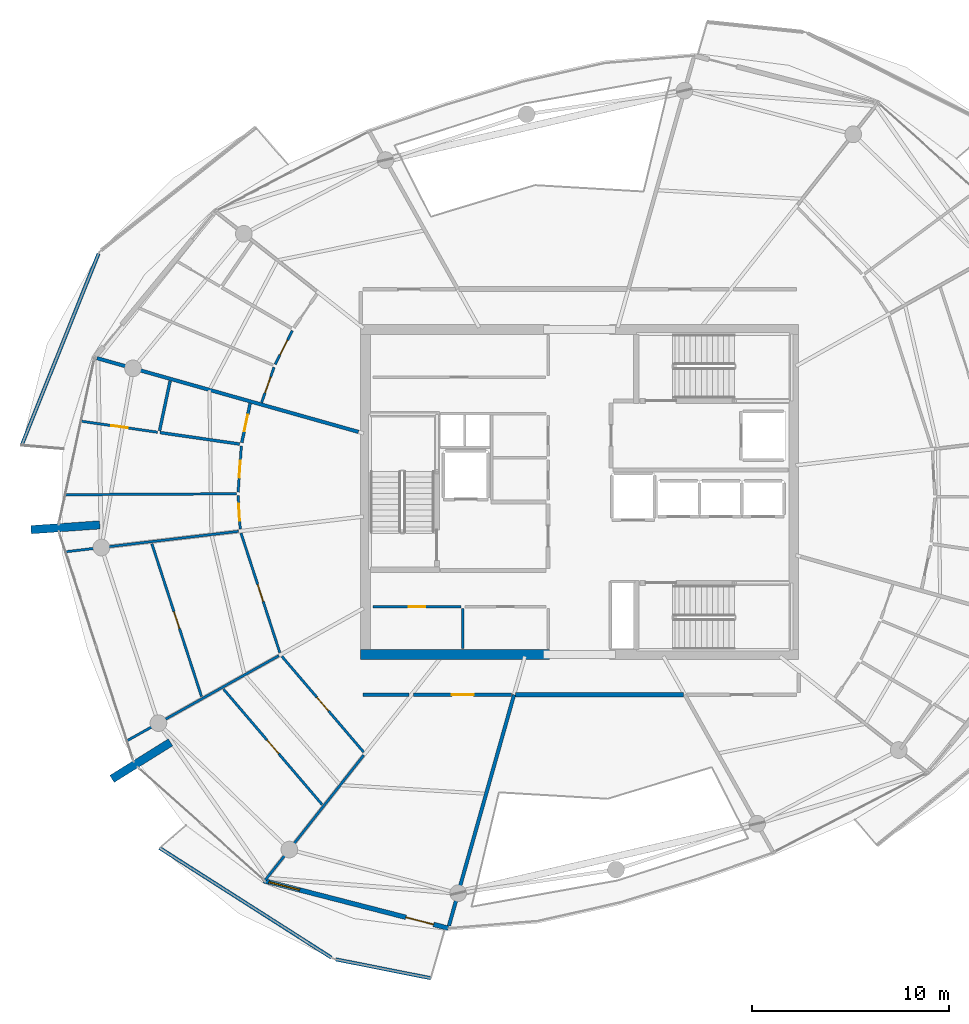
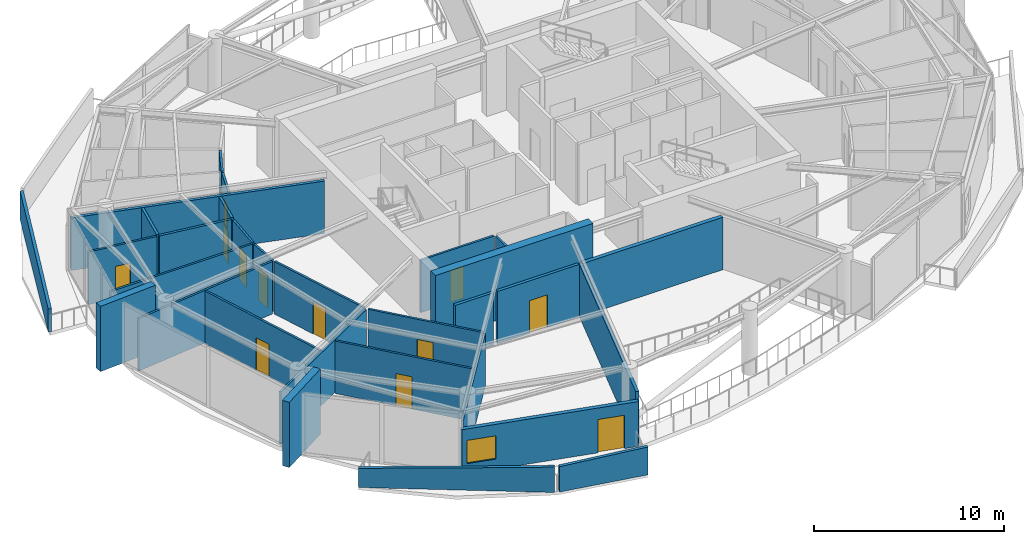
# One storey, part 13 of 22: 30 walls, 13 doors, 1 window, 14 openings.
"""IFC4 building model written with IfcOpenShell, lengths in metres."""

from ifc_helpers import new_model, si_unit, direction, frame, frame_2d, origin, place, context, subcontext, project, spatial, polyline, rectangle, outline, extrude, material, layer, layer_set, type_object, element, fill, save


model = new_model("IFC4")

# Units and contexts
model_context = context("Model", 3, precision=1e-05, world=origin(), true_north=direction((0.0, 1.0)))
body_context = subcontext(model_context, "Body", "Model", "MODEL_VIEW")
ifc_project = project(units=[si_unit("LENGTHUNIT", "METRE"), si_unit("AREAUNIT", "SQUARE_METRE"), si_unit("VOLUMEUNIT", "CUBIC_METRE"), si_unit("PLANEANGLEUNIT", "RADIAN"), si_unit("MASSUNIT", "GRAM", prefix="KILO")], contexts=[model_context])

# Site, building, storey
site_placement = place(None, origin())
site = spatial("IfcSite", under=ifc_project, at=site_placement, CompositionType="ELEMENT")
building_placement = place(site_placement, origin())
building = spatial("IfcBuilding", under=site, at=building_placement, Name="Kazma Halo Residences", CompositionType="ELEMENT")
storey_placement = place(building_placement, frame((0.0, 0.0, 330.5)))
storey = spatial("IfcBuildingStorey", under=building, at=storey_placement, Name="L83", CompositionType="ELEMENT", Elevation=330.5)

# Walls
ifc_material_1 = material(Name="White Concrete C50/60 Balustrade", Category="concrete")
ifc_layer_1 = layer(ifc_material_1, 0.179931640625)
ifc_layer_set_1 = layer_set([ifc_layer_1], Name="White Concrete C50/60 Balustrade")
wall_type_1 = type_object("IfcWallType", Name="WL-BAL-WAVE-180", PredefinedType="PARAPET", material=ifc_layer_set_1)
wall_1_placement = place(storey_placement, frame((23.9931640625, 54.097900390625, 0.0), z_axis=(0.0, 0.0, 1.0), x_axis=(-0.372269858955, -0.928124534809, 0.0)))
element("IfcWall", 1, at=wall_1_placement, inside=storey, type_object=wall_type_1, Name="L83 white wave balustrade wall NW.2", PredefinedType="PARAPET", context=body_context, shape_type="SweptSolid", body=[
    extrude(outline(polyline([(0.0, 0.0), (10.483154296875, 0.0), (10.4833984375, 1.4970703125), (5.24169921875, 1.696044921875), (0.0, 1.83203125), (0.0, 0.0)])), frame((0.0, 0.08984375, 0.0), z_axis=(0.0, -1.0, 0.0), x_axis=(1.0, 0.0, 0.0)), (0.0, 0.0, 1.0), 0.179931640625),
])
wall_2_placement = place(storey_placement, frame((27.093017578125, 23.921630859375, 0.0), z_axis=(0.0, 0.0, 1.0), x_axis=(0.842921526724, -0.538036522725, 0.0)))
element("IfcWall", 2, at=wall_2_placement, inside=storey, type_object=wall_type_1, Name="L83 white wave balustrade wall SW.1", PredefinedType="PARAPET", context=body_context, shape_type="SweptSolid", body=[
    extrude(outline(polyline([(0.0, 0.0), (10.349853515625, 0.0), (10.349853515625, 1.632080078125), (5.1748046875, 1.41796875), (0.0, 1.23291015625), (0.0, 0.0)])), frame((0.0, 0.08984375, 0.0), z_axis=(0.0, -1.0, 0.0), x_axis=(1.0, 0.0, 0.0)), (0.0, 0.0, 1.0), 0.179931640625),
])
wall_3_placement = place(storey_placement, frame((36.0361328125, 18.26513671875, 0.0), z_axis=(0.0, 0.0, 1.0), x_axis=(0.980863414274, -0.194697104595, 0.0)))
element("IfcWall", 3, at=wall_3_placement, inside=storey, type_object=wall_type_1, Name="L83 white wave balustrade wall SW.2", PredefinedType="PARAPET", context=body_context, shape_type="SweptSolid", body=[
    extrude(outline(polyline([(0.0, 0.0), (4.930419921875, 0.0), (4.930419921875, 1.7939453125), (0.0, 1.632080078125), (0.0, 0.0)])), frame((0.0, 0.08984375, 0.0), z_axis=(0.0, -1.0, 0.0), x_axis=(1.0, 0.0, 0.0)), (0.0, 0.0, 1.0), 0.179931640625),
])
ifc_material_2 = material(Name="Pale Concrete C60/75", Category="concrete")
ifc_layer_2 = layer(ifc_material_2, 0.419921875)
ifc_layer_set_2 = layer_set([ifc_layer_2], Name="Pale Concrete C60/75")
wall_type_2 = type_object("IfcWallType", Name="WL-BLADE-420", PredefinedType="SOLIDWALL", material=ifc_layer_set_2)
for number, where, z_axis, x_axis, name in (
    (4, (24.05908203125, 40.325927734375, 0.0), (0.0, 0.0, 1.0), (-0.997564163539, -0.069754853754, 0.0), "L83 pale concrete structural blade fin wall BW-02"),
    (5, (27.6474609375, 29.2822265625, 0.0), (0.0, 0.0, 1.0), (-0.848053161125, -0.529911158502, 0.0), "L83 pale concrete structural blade fin wall BW-03"),
):
    element("IfcWall", number, at=place(storey_placement, frame(where, z_axis=z_axis, x_axis=x_axis)), inside=storey, type_object=wall_type_2, Name=name, PredefinedType="SOLIDWALL", context=body_context, shape_type="SweptSolid", body=[
        extrude(rectangle(XDim=3.5, YDim=0.419921875, at=frame_2d((1.75, 0.0))), origin(), (0.0, 0.0, 1.0), 4.199951171875),
    ])
ifc_material_3 = material(Name="Concrete C60/75", Category="concrete")
ifc_layer_3 = layer(ifc_material_3, 0.5)
ifc_layer_set_3 = layer_set([ifc_layer_3], Name="Concrete C60/75")
wall_type_3 = type_object("IfcWallType", Name="WL-CORE-500", PredefinedType="SHEAR", material=ifc_layer_set_3)
wall_4_placement = place(storey_placement, frame((37.300048828125, 33.75, 0.0), z_axis=(0.0, 0.0, 1.0), x_axis=(1.0, 0.0, 0.0)))
element("IfcWall", 6, at=wall_4_placement, inside=storey, type_object=wall_type_3, Name="L83 central core shear wall SW", PredefinedType="SHEAR", context=body_context, shape_type="SweptSolid", body=[
    extrude(rectangle(XDim=9.599853515625, YDim=0.5, at=frame_2d((4.7998046875, 0.0))), origin(), (0.0, 0.0, 1.0), 4.199951171875),
])
ifc_material_4 = material(Name="Acoustic Twin-Stud Gypsum")
ifc_layer_4 = layer(ifc_material_4, 0.179931640625)
ifc_layer_set_4 = layer_set([ifc_layer_4], Name="Acoustic Twin-Stud Gypsum")
wall_type_4 = type_object("IfcWallType", Name="WL-DEM-180", PredefinedType="PARTITIONING", material=ifc_layer_set_4)
wall_5_placement = place(storey_placement, frame((37.194091796875, 45.047607421875, 0.0), z_axis=(0.0, 0.0, 1.0), x_axis=(-0.962457024049, 0.271434111451, 0.0)))
element("IfcWall", 7, at=wall_5_placement, inside=storey, type_object=wall_type_4, Name="L83 apartment demising radial wall 06", PredefinedType="PARTITIONING", context=body_context, shape_type="SweptSolid", body=[
    extrude(rectangle(XDim=13.79931640625, YDim=0.179931640625, at=frame_2d((6.899658203125, 0.0))), origin(), (0.0, 0.0, 1.0), 3.3798828125),
])
wall_6_placement = place(storey_placement, frame((45.09521484375, 31.699951171875, 0.0), z_axis=(0.0, 0.0, 1.0), x_axis=(-0.271453030279, -0.962451688321, 0.0)))
element("IfcWall", 8, at=wall_6_placement, inside=storey, type_object=wall_type_4, Name="L83 apartment demising radial wall 10", PredefinedType="PARTITIONING", context=body_context, shape_type="SweptSolid", body=[
    extrude(rectangle(XDim=12.191162109375, YDim=0.179931640625, at=frame_2d((6.095703125, 0.0))), origin(), (0.0, 0.0, 1.0), 3.3798828125),
])

# Wall, opening, door
wall_7_placement = place(storey_placement, frame((40.0, 31.699951171875, 0.0), z_axis=(0.0, 0.0, 1.0), x_axis=(1.0, 0.0, 0.0)))
wall_7 = element("IfcWall", 9, at=wall_7_placement, inside=storey, type_object=wall_type_4, Name="L83 Penthouse 2 entrance corridor wall", PredefinedType="PARTITIONING", context=body_context, shape_type="SweptSolid", body=[
    extrude(rectangle(XDim=4.97509765625, YDim=0.179931640625, at=frame_2d((2.487548828125, 0.0))), origin(), (0.0, 0.0, 1.0), 3.3798828125),
])
opening_1_placement = place(wall_7_placement, frame((1.9375, 0.0, 0.0)))
opening_1 = element("IfcOpeningElement", 10, at=opening_1_placement, cuts=wall_7, Name="Opening DA-1100", PredefinedType="OPENING", context=body_context, shape_type="SweptSolid", body=[
    extrude(rectangle(XDim=1.10009765625, YDim=2.10009765625, at=frame_2d((0.550048828125, 1.050048828125))), frame((0.0, 0.099853515625, 0.0), z_axis=(0.0, -1.0, 0.0), x_axis=(1.0, 0.0, 0.0)), (0.0, 0.0, 1.0), 0.199951171875),
])
ifc_material_5 = material(Name="Acoustic Walnut Fire Leaf")
door_type_1 = type_object("IfcDoorType", Name="DR-FD60-1100", OperationType="NOTDEFINED", PredefinedType="DOOR", material=ifc_material_5)
door_1_placement = place(opening_1_placement, origin())
door_1 = element("IfcDoor", 11, at=door_1_placement, inside=storey, type_object=door_type_1, Name="L83 Penthouse 2 entrance fire door", OperationType="SINGLE_SWING_RIGHT", OverallHeight=2.10009765625, OverallWidth=1.10009765625, PredefinedType="DOOR", context=body_context, shape_type="SweptSolid", body=[
    extrude(rectangle(XDim=1.10009765625, YDim=2.10009765625, at=frame_2d((0.550048828125, 1.050048828125))), frame((0.0, 0.02490234375, 0.0), z_axis=(0.0, -1.0, 0.0), x_axis=(1.0, 0.0, 0.0)), (0.0, 0.0, 1.0), 0.050048828125),
])
fill(opening_1, door_1)

# Wall
wall_8_placement = place(storey_placement, frame((37.419921875, 31.699951171875, 0.0), z_axis=(0.0, 0.0, 1.0), x_axis=(1.0, 0.0, 0.0)))
element("IfcWall", 12, at=wall_8_placement, inside=storey, type_object=wall_type_4, Name="L83 Penthouse 2 inner wall 8", PredefinedType="PARTITIONING", context=body_context, shape_type="SweptSolid", body=[
    extrude(rectangle(XDim=2.340087890625, YDim=0.179931640625, at=frame_2d((1.169921875, 0.0))), origin(), (0.0, 0.0, 1.0), 3.3798828125),
])

# Wall, openings, door, window
ifc_material_6 = material(Name="Insulated Pale-Metal Composite Wall")
ifc_layer_5 = layer(ifc_material_6, 0.239990234375)
ifc_layer_set_5 = layer_set([ifc_layer_5], Name="Insulated Pale-Metal Composite Wall")
wall_type_5 = type_object("IfcWallType", Name="WL-EXT-HOST-240", PredefinedType="SOLIDWALL", material=ifc_layer_set_5)
wall_9_placement = place(storey_placement, frame((32.380126953125, 22.26025390625, 0.0), z_axis=(0.0, 0.0, 1.0), x_axis=(0.968389062354, -0.249444630957, 0.0)))
wall_9 = element("IfcWall", 13, at=wall_9_placement, inside=storey, type_object=wall_type_5, Name="L83 exterior terrace-access wall B10", PredefinedType="SOLIDWALL", context=body_context, shape_type="SweptSolid", body=[
    extrude(rectangle(XDim=9.677734375, YDim=0.239990234375, at=frame_2d((4.8388671875, 0.0))), origin(), (0.0, 0.0, 1.0), 2.889892578125),
])
opening_2_placement = place(wall_9_placement, frame((7.457763671875, 0.0, 0.0)))
opening_2 = element("IfcOpeningElement", 14, at=opening_2_placement, cuts=wall_9, Name="Opening DTR-1600", PredefinedType="OPENING", context=body_context, shape_type="SweptSolid", body=[
    extrude(rectangle(XDim=1.449951171875, YDim=2.14990234375, at=frame_2d((0.72509765625, 1.074951171875))), frame((0.0, 0.1298828125, 0.0), z_axis=(0.0, -1.0, 0.0), x_axis=(1.0, 0.0, 0.0)), (0.0, 0.0, 1.0), 0.260009765625),
])
opening_3_placement = place(wall_9_placement, frame((0.280029296875, 0.0, 0.64990234375)))
opening_3 = element("IfcOpeningElement", 15, at=opening_3_placement, cuts=wall_9, Name="Opening W-1800", PredefinedType="OPENING", context=body_context, shape_type="SweptSolid", body=[
    extrude(rectangle(XDim=1.60009765625, YDim=1.5, at=frame_2d((0.800048828125, 0.75))), frame((0.0, 0.1298828125, 0.0), z_axis=(0.0, -1.0, 0.0), x_axis=(1.0, 0.0, 0.0)), (0.0, 0.0, 1.0), 0.260009765625),
])
ifc_material_7 = material(Name="Aluminium AW-6063 T6 Double-Glazed Terrace Door", Category="aluminium")
door_type_2 = type_object("IfcDoorType", Name="DR-EXT-TERR-1600", OperationType="NOTDEFINED", PredefinedType="DOOR", material=ifc_material_7)
door_2_placement = place(opening_2_placement, origin())
door_2 = element("IfcDoor", 16, at=door_2_placement, inside=storey, type_object=door_type_2, Name="L83 B10 balcony terrace door", OperationType="DOUBLE_DOOR_SLIDING", OverallHeight=2.14990234375, OverallWidth=1.449951171875, PredefinedType="DOOR", context=body_context, shape_type="SweptSolid", body=[
    extrude(rectangle(XDim=1.449951171875, YDim=2.14990234375, at=frame_2d((0.72509765625, 1.074951171875))), frame((0.0, 0.02490234375, 0.0), z_axis=(0.0, -1.0, 0.0), x_axis=(1.0, 0.0, 0.0)), (0.0, 0.0, 1.0), 0.050048828125),
])
fill(opening_2, door_2)
ifc_material_8 = material(Name="Clear Triple-Silver Low-E Glass in Aluminium AW-6063 T6 Frame", Category="aluminium")
window_type = type_object("IfcWindowType", Name="WIN-RES-1800", PartitioningType="DOUBLE_PANEL_VERTICAL", PredefinedType="WINDOW", material=ifc_material_8)
window_placement = place(opening_3_placement, origin())
window = element("IfcWindow", 17, at=window_placement, inside=storey, type_object=window_type, Name="L83 B10 apartment window", OverallHeight=1.5, OverallWidth=1.60009765625, PartitioningType="SINGLE_PANEL", PredefinedType="WINDOW", context=body_context, shape_type="SweptSolid", body=[
    extrude(rectangle(XDim=1.60009765625, YDim=1.5, at=frame_2d((0.800048828125, 0.75))), frame((0.0, 0.030029296875, 0.0), z_axis=(0.0, -1.0, 0.0), x_axis=(1.0, 0.0, 0.0)), (0.0, 0.0, 1.0), 0.06005859375),
])
fill(opening_3, window)

# Walls
wall_10_placement = place(storey_placement, frame((45.1650390625, 31.699951171875, 0.0), z_axis=(0.0, 0.0, 1.0), x_axis=(1.0, 0.0, 0.0)))
element("IfcWall", 18, at=wall_10_placement, inside=storey, type_object=wall_type_5, Name="L83 wind-portal core closure wall", PredefinedType="SOLIDWALL", context=body_context, shape_type="SweptSolid", body=[
    extrude(rectangle(XDim=8.533203125, YDim=0.239990234375, at=frame_2d((4.2666015625, 0.0))), origin(), (0.0, 0.0, 1.0), 3.3798828125),
])
ifc_material_9 = material(Name="Gypsum Plasterboard Partition")
ifc_layer_6 = layer(ifc_material_9, 0.125)
ifc_layer_set_6 = layer_set([ifc_layer_6], Name="Gypsum Plasterboard Partition")
wall_type_6 = type_object("IfcWallType", Name="WL-PART-125", PredefinedType="PARTITIONING", material=ifc_layer_set_6)
wall_11_placement = place(storey_placement, frame((42.5, 34.050048828125, 0.0), z_axis=(0.0, 0.0, 1.0), x_axis=(0.0, 1.0, 0.0)))
element("IfcWall", 19, at=wall_11_placement, inside=storey, type_object=wall_type_6, Name="L83 reclaimed south divider wall", PredefinedType="PARTITIONING", context=body_context, shape_type="SweptSolid", body=[
    extrude(rectangle(XDim=2.030029296875, YDim=0.125, at=frame_2d((1.01513671875, 0.0))), origin(), (0.0, 0.0, 1.0), 3.3798828125),
])

# Wall, opening, door
wall_12_placement = place(storey_placement, frame((37.919921875, 36.179931640625, 0.0), z_axis=(0.0, 0.0, 1.0), x_axis=(1.0, 0.0, 0.0)))
wall_12 = element("IfcWall", 20, at=wall_12_placement, inside=storey, type_object=wall_type_6, Name="L83 reclaimed south W front wall", PredefinedType="PARTITIONING", context=body_context, shape_type="SweptSolid", body=[
    extrude(rectangle(XDim=4.47998046875, YDim=0.125, at=frame_2d((2.239990234375, 0.0))), origin(), (0.0, 0.0, 1.0), 3.3798828125),
])
opening_4_placement = place(wall_12_placement, frame((1.81494140625, 0.0, 0.0)))
opening_4 = element("IfcOpeningElement", 21, at=opening_4_placement, cuts=wall_12, Name="Opening DS-850", PredefinedType="OPENING", context=body_context, shape_type="SweptSolid", body=[
    extrude(rectangle(XDim=0.85009765625, YDim=2.06005859375, at=frame_2d((0.425048828125, 1.030029296875))), frame((0.0, 0.072509765625, 0.0), z_axis=(0.0, -1.0, 0.0), x_axis=(1.0, 0.0, 0.0)), (0.0, 0.0, 1.0), 0.14501953125),
])
ifc_material_10 = material(Name="Painted Steel Access Leaf", Category="steel")
door_type_3 = type_object("IfcDoorType", Name="DR-SVC-850", OperationType="NOTDEFINED", PredefinedType="DOOR", material=ifc_material_10)
door_3_placement = place(opening_4_placement, origin())
door_3 = element("IfcDoor", 22, at=door_3_placement, inside=storey, type_object=door_type_3, Name="L83 reclaimed south W door", OperationType="SINGLE_SWING_RIGHT", OverallHeight=2.06005859375, OverallWidth=0.85009765625, PredefinedType="DOOR", context=body_context, shape_type="SweptSolid", body=[
    extrude(rectangle(XDim=0.85009765625, YDim=2.06005859375, at=frame_2d((0.425048828125, 1.030029296875))), frame((0.0, 0.02490234375, 0.0), z_axis=(0.0, -1.0, 0.0), x_axis=(1.0, 0.0, 0.0)), (0.0, 0.0, 1.0), 0.050048828125),
])
fill(opening_4, door_3)

wall_13_placement = place(storey_placement, frame((33.828369140625, 50.18701171875, 0.0), z_axis=(0.0, 0.0, 1.0), x_axis=(-0.449051769977, -0.893505740262, 0.0)))
wall_13 = element("IfcWall", 23, at=wall_13_placement, inside=storey, type_object=wall_type_6, Name="L83 Penthouse 1 Gourmet Kitchen hall wall", PredefinedType="PARTITIONING", context=body_context, shape_type="SweptSolid", body=[
    extrude(rectangle(XDim=1.91162109375, YDim=0.125, at=frame_2d((0.955810546875, 0.0))), origin(), (0.0, 0.0, 1.0), 3.3798828125),
])
opening_5_placement = place(wall_13_placement, frame((0.53076171875, 0.0, 0.0)))
opening_5 = element("IfcOpeningElement", 24, at=opening_5_placement, cuts=wall_13, Name="Opening DB-900", PredefinedType="OPENING", context=body_context, shape_type="SweptSolid", body=[
    extrude(rectangle(XDim=0.85009765625, YDim=2.06005859375, at=frame_2d((0.425048828125, 1.030029296875))), frame((0.0, 0.072509765625, 0.0), z_axis=(0.0, -1.0, 0.0), x_axis=(1.0, 0.0, 0.0)), (0.0, 0.0, 1.0), 0.14501953125),
])
ifc_material_11 = material(Name="Moisture-Sealed Timber Leaf", Category="wood")
door_type_4 = type_object("IfcDoorType", Name="DR-BTH-900", OperationType="NOTDEFINED", PredefinedType="DOOR", material=ifc_material_11)
door_4_placement = place(opening_5_placement, origin())
door_4 = element("IfcDoor", 25, at=door_4_placement, inside=storey, type_object=door_type_4, Name="L83 Penthouse 1 Gourmet Kitchen door", OperationType="SINGLE_SWING_LEFT", OverallHeight=2.06005859375, OverallWidth=0.85009765625, PredefinedType="DOOR", context=body_context, shape_type="SweptSolid", body=[
    extrude(rectangle(XDim=0.85009765625, YDim=2.06005859375, at=frame_2d((0.425048828125, 1.030029296875))), frame((0.0, 0.02490234375, 0.0), z_axis=(0.0, -1.0, 0.0), x_axis=(1.0, 0.0, 0.0)), (0.0, 0.0, 1.0), 0.050048828125),
])
fill(opening_5, door_4)

wall_14_placement = place(storey_placement, frame((32.907470703125, 48.33203125, 0.0), z_axis=(0.0, 0.0, 1.0), x_axis=(-0.332128336942, -0.943234206229, 0.0)))
wall_14 = element("IfcWall", 26, at=wall_14_placement, inside=storey, type_object=wall_type_6, Name="L83 Penthouse 1 Primary Bedroom hall wall", PredefinedType="PARTITIONING", context=body_context, shape_type="SweptSolid", body=[
    extrude(rectangle(XDim=1.901611328125, YDim=0.125, at=frame_2d((0.95068359375, 0.0))), origin(), (0.0, 0.0, 1.0), 3.3798828125),
])
opening_6_placement = place(wall_14_placement, frame((0.52587890625, 0.0, 0.0)))
opening_6 = element("IfcOpeningElement", 27, at=opening_6_placement, cuts=wall_14, Name="Opening DB-900", PredefinedType="OPENING", context=body_context, shape_type="SweptSolid", body=[
    extrude(rectangle(XDim=0.85009765625, YDim=2.06005859375, at=frame_2d((0.425048828125, 1.030029296875))), frame((0.0, 0.072509765625, 0.0), z_axis=(0.0, -1.0, 0.0), x_axis=(1.0, 0.0, 0.0)), (0.0, 0.0, 1.0), 0.14501953125),
])
door_5_placement = place(opening_6_placement, origin())
door_5 = element("IfcDoor", 28, at=door_5_placement, inside=storey, type_object=door_type_4, Name="L83 Penthouse 1 Primary Bedroom door", OperationType="SINGLE_SWING_RIGHT", OverallHeight=2.06005859375, OverallWidth=0.85009765625, PredefinedType="DOOR", context=body_context, shape_type="SweptSolid", body=[
    extrude(rectangle(XDim=0.85009765625, YDim=2.06005859375, at=frame_2d((0.425048828125, 1.030029296875))), frame((0.0, 0.02490234375, 0.0), z_axis=(0.0, -1.0, 0.0), x_axis=(1.0, 0.0, 0.0)), (0.0, 0.0, 1.0), 0.050048828125),
])
fill(opening_6, door_5)

wall_15_placement = place(storey_placement, frame((26.985595703125, 45.032958984375, 0.0), z_axis=(0.0, 0.0, 1.0), x_axis=(-0.989744483193, 0.142849074164, 0.0)))
wall_15 = element("IfcWall", 29, at=wall_15_placement, inside=storey, type_object=wall_type_6, Name="L83 Penthouse 2 Household Store Room partition wall", PredefinedType="PARTITIONING", context=body_context, shape_type="SweptSolid", body=[
    extrude(rectangle(XDim=3.90185546875, YDim=0.125, at=frame_2d((1.950927734375, 0.0))), origin(), (0.0, 0.0, 1.0), 3.3798828125),
])
opening_7_placement = place(wall_15_placement, frame((1.52587890625, 0.0, 0.0)))
opening_7 = element("IfcOpeningElement", 30, at=opening_7_placement, cuts=wall_15, Name="Opening DB-900", PredefinedType="OPENING", context=body_context, shape_type="SweptSolid", body=[
    extrude(rectangle(XDim=0.85009765625, YDim=2.06005859375, at=frame_2d((0.425048828125, 1.030029296875))), frame((0.0, 0.072509765625, 0.0), z_axis=(0.0, -1.0, 0.0), x_axis=(1.0, 0.0, 0.0)), (0.0, 0.0, 1.0), 0.14501953125),
])
door_6_placement = place(opening_7_placement, origin())
door_6 = element("IfcDoor", 31, at=door_6_placement, inside=storey, type_object=door_type_4, Name="L83 Penthouse 2 Household Store Room door", OperationType="SINGLE_SWING_LEFT", OverallHeight=2.06005859375, OverallWidth=0.85009765625, PredefinedType="DOOR", context=body_context, shape_type="SweptSolid", body=[
    extrude(rectangle(XDim=0.85009765625, YDim=2.06005859375, at=frame_2d((0.425048828125, 1.030029296875))), frame((0.0, 0.02490234375, 0.0), z_axis=(0.0, -1.0, 0.0), x_axis=(1.0, 0.0, 0.0)), (0.0, 0.0, 1.0), 0.050048828125),
])
fill(opening_7, door_6)

# Wall
wall_16_placement = place(storey_placement, frame((30.98828125, 41.906005859375, 0.0), z_axis=(0.0, 0.0, 1.0), x_axis=(-0.999984908948, -0.005493803382, 0.0)))
element("IfcWall", 32, at=wall_16_placement, inside=storey, type_object=wall_type_6, Name="L83 Penthouse 2 suite divider 6", PredefinedType="PARTITIONING", context=body_context, shape_type="SweptSolid", body=[
    extrude(rectangle(XDim=8.665771484375, YDim=0.125, at=frame_2d((4.3330078125, 0.0))), origin(), (0.0, 0.0, 1.0), 3.3798828125),
])

# Wall, opening, door
wall_17_placement = place(storey_placement, frame((31.245361328125, 44.327392578125, 0.0), z_axis=(0.0, 0.0, 1.0), x_axis=(-0.068873502497, -0.997625400967, 0.0)))
wall_17 = element("IfcWall", 33, at=wall_17_placement, inside=storey, type_object=wall_type_6, Name="L83 Penthouse 2 Gourmet Kitchen hall wall", PredefinedType="PARTITIONING", context=body_context, shape_type="SweptSolid", body=[
    extrude(rectangle(XDim=2.3466796875, YDim=0.125, at=frame_2d((1.17333984375, 0.0))), origin(), (0.0, 0.0, 1.0), 3.3798828125),
])
opening_8_placement = place(wall_17_placement, frame((0.748291015625, 0.0, 0.0)))
opening_8 = element("IfcOpeningElement", 34, at=opening_8_placement, cuts=wall_17, Name="Opening DB-900", PredefinedType="OPENING", context=body_context, shape_type="SweptSolid", body=[
    extrude(rectangle(XDim=0.85009765625, YDim=2.06005859375, at=frame_2d((0.425048828125, 1.030029296875))), frame((0.0, 0.072509765625, 0.0), z_axis=(0.0, -1.0, 0.0), x_axis=(1.0, 0.0, 0.0)), (0.0, 0.0, 1.0), 0.14501953125),
])
door_7_placement = place(opening_8_placement, origin())
door_7 = element("IfcDoor", 35, at=door_7_placement, inside=storey, type_object=door_type_4, Name="L83 Penthouse 2 Gourmet Kitchen door", OperationType="SINGLE_SWING_RIGHT", OverallHeight=2.06005859375, OverallWidth=0.85009765625, PredefinedType="DOOR", context=body_context, shape_type="SweptSolid", body=[
    extrude(rectangle(XDim=0.85009765625, YDim=2.06005859375, at=frame_2d((0.425048828125, 1.030029296875))), frame((0.0, 0.02490234375, 0.0), z_axis=(0.0, -1.0, 0.0), x_axis=(1.0, 0.0, 0.0)), (0.0, 0.0, 1.0), 0.050048828125),
])
fill(opening_8, door_7)

wall_18_placement = place(storey_placement, frame((31.083251953125, 41.826904296875, 0.0), z_axis=(0.0, 0.0, 1.0), x_axis=(0.061626842896, -0.998099259711, 0.0)))
wall_18 = element("IfcWall", 36, at=wall_18_placement, inside=storey, type_object=wall_type_6, Name="L83 Penthouse 2 Primary Bedroom hall wall", PredefinedType="PARTITIONING", context=body_context, shape_type="SweptSolid", body=[
    extrude(rectangle(XDim=1.71923828125, YDim=0.125, at=frame_2d((0.859619140625, 0.0))), origin(), (0.0, 0.0, 1.0), 3.3798828125),
])
opening_9_placement = place(wall_18_placement, frame((0.4345703125, 0.0, 0.0)))
opening_9 = element("IfcOpeningElement", 37, at=opening_9_placement, cuts=wall_18, Name="Opening DB-900", PredefinedType="OPENING", context=body_context, shape_type="SweptSolid", body=[
    extrude(rectangle(XDim=0.85009765625, YDim=2.06005859375, at=frame_2d((0.425048828125, 1.030029296875))), frame((0.0, 0.072509765625, 0.0), z_axis=(0.0, -1.0, 0.0), x_axis=(1.0, 0.0, 0.0)), (0.0, 0.0, 1.0), 0.14501953125),
])
door_8_placement = place(opening_9_placement, origin())
door_8 = element("IfcDoor", 38, at=door_8_placement, inside=storey, type_object=door_type_4, Name="L83 Penthouse 2 Primary Bedroom door", OperationType="SINGLE_SWING_LEFT", OverallHeight=2.06005859375, OverallWidth=0.85009765625, PredefinedType="DOOR", context=body_context, shape_type="SweptSolid", body=[
    extrude(rectangle(XDim=0.85009765625, YDim=2.06005859375, at=frame_2d((0.425048828125, 1.030029296875))), frame((0.0, 0.02490234375, 0.0), z_axis=(0.0, -1.0, 0.0), x_axis=(1.0, 0.0, 0.0)), (0.0, 0.0, 1.0), 0.050048828125),
])
fill(opening_9, door_8)

# Wall
wall_19_placement = place(storey_placement, frame((31.095947265625, 39.999267578125, 0.0), z_axis=(0.0, 0.0, 1.0), x_axis=(-0.993069250604, -0.117530691761, 0.0)))
element("IfcWall", 39, at=wall_19_placement, inside=storey, type_object=wall_type_6, Name="L83 Penthouse 2 radial partition 7", PredefinedType="PARTITIONING", context=body_context, shape_type="SweptSolid", body=[
    extrude(rectangle(XDim=8.813720703125, YDim=0.125, at=frame_2d((4.40673828125, 0.0))), origin(), (0.0, 0.0, 1.0), 3.3798828125),
])

# Wall, opening, door
wall_20_placement = place(storey_placement, frame((31.229248046875, 39.906494140625, 0.0), z_axis=(0.0, 0.0, 1.0), x_axis=(0.309023798792, -0.951054305379, 0.0)))
wall_20 = element("IfcWall", 40, at=wall_20_placement, inside=storey, type_object=wall_type_6, Name="L83 Penthouse 2 Primary Study hall wall", PredefinedType="PARTITIONING", context=body_context, shape_type="SweptSolid", body=[
    extrude(rectangle(XDim=6.3828125, YDim=0.125, at=frame_2d((3.19140625, 0.0))), origin(), (0.0, 0.0, 1.0), 3.3798828125),
])
opening_10_placement = place(wall_20_placement, frame((2.7412109375, 0.0, 0.0)))
opening_10 = element("IfcOpeningElement", 41, at=opening_10_placement, cuts=wall_20, Name="Opening DI-950", PredefinedType="OPENING", context=body_context, shape_type="SweptSolid", body=[
    extrude(rectangle(XDim=0.89990234375, YDim=2.080078125, at=frame_2d((0.449951171875, 1.0400390625))), frame((0.0, 0.072509765625, 0.0), z_axis=(0.0, -1.0, 0.0), x_axis=(1.0, 0.0, 0.0)), (0.0, 0.0, 1.0), 0.14501953125),
])
ifc_material_12 = material(Name="Timber Veneer Flush Leaf", Category="wood")
door_type_5 = type_object("IfcDoorType", Name="DR-INT-950", OperationType="NOTDEFINED", PredefinedType="DOOR", material=ifc_material_12)
door_9_placement = place(opening_10_placement, origin())
door_9 = element("IfcDoor", 42, at=door_9_placement, inside=storey, type_object=door_type_5, Name="L83 Penthouse 2 Primary Study door", OperationType="SINGLE_SWING_LEFT", OverallHeight=2.080078125, OverallWidth=0.89990234375, PredefinedType="DOOR", context=body_context, shape_type="SweptSolid", body=[
    extrude(rectangle(XDim=0.89990234375, YDim=2.080078125, at=frame_2d((0.449951171875, 1.0400390625))), frame((0.0, 0.02490234375, 0.0), z_axis=(0.0, -1.0, 0.0), x_axis=(1.0, 0.0, 0.0)), (0.0, 0.0, 1.0), 0.050048828125),
])
fill(opening_10, door_9)

wall_21_placement = place(storey_placement, frame((26.702880859375, 39.37060546875, 0.0), z_axis=(0.0, 0.0, 1.0), x_axis=(0.309021134762, -0.951055170992, 0.0)))
wall_21 = element("IfcWall", 43, at=wall_21_placement, inside=storey, type_object=wall_type_6, Name="L83 Penthouse 2 Secondary Master Bedroom divider wall", PredefinedType="PARTITIONING", context=body_context, shape_type="SweptSolid", body=[
    extrude(rectangle(XDim=8.1611328125, YDim=0.125, at=frame_2d((4.08056640625, 0.0))), origin(), (0.0, 0.0, 1.0), 3.3798828125),
])
opening_11_placement = place(wall_21_placement, frame((3.630615234375, 0.0, 0.0)))
opening_11 = element("IfcOpeningElement", 44, at=opening_11_placement, cuts=wall_21, Name="Opening DI-950", PredefinedType="OPENING", context=body_context, shape_type="SweptSolid", body=[
    extrude(rectangle(XDim=0.89990234375, YDim=2.080078125, at=frame_2d((0.449951171875, 1.0400390625))), frame((0.0, 0.072509765625, 0.0), z_axis=(0.0, -1.0, 0.0), x_axis=(1.0, 0.0, 0.0)), (0.0, 0.0, 1.0), 0.14501953125),
])
door_10_placement = place(opening_11_placement, origin())
door_10 = element("IfcDoor", 45, at=door_10_placement, inside=storey, type_object=door_type_5, Name="L83 Penthouse 2 Secondary Master Bedroom door", OperationType="SINGLE_SWING_RIGHT", OverallHeight=2.080078125, OverallWidth=0.89990234375, PredefinedType="DOOR", context=body_context, shape_type="SweptSolid", body=[
    extrude(rectangle(XDim=0.89990234375, YDim=2.080078125, at=frame_2d((0.449951171875, 1.0400390625))), frame((0.0, 0.02490234375, 0.0), z_axis=(0.0, -1.0, 0.0), x_axis=(1.0, 0.0, 0.0)), (0.0, 0.0, 1.0), 0.050048828125),
])
fill(opening_11, door_10)

# Walls
wall_22_placement = place(storey_placement, frame((33.1484375, 33.6826171875, 0.0), z_axis=(0.0, 0.0, 1.0), x_axis=(-0.872504598877, -0.488605899409, 0.0)))
element("IfcWall", 46, at=wall_22_placement, inside=storey, type_object=wall_type_6, Name="L83 Penthouse 2 radial partition 8", PredefinedType="PARTITIONING", context=body_context, shape_type="SweptSolid", body=[
    extrude(rectangle(XDim=8.813720703125, YDim=0.125, at=frame_2d((4.40673828125, 0.0))), origin(), (0.0, 0.0, 1.0), 3.3798828125),
])
wall_23_placement = place(storey_placement, frame((37.4619140625, 28.63232421875, 0.0), z_axis=(0.0, 0.0, 1.0), x_axis=(-0.619099165969, -0.78531281837, 0.0)))
element("IfcWall", 47, at=wall_23_placement, inside=storey, type_object=wall_type_6, Name="L83 Penthouse 2 living radial partition 8", PredefinedType="PARTITIONING", context=body_context, shape_type="SweptSolid", body=[
    extrude(rectangle(XDim=8.10498046875, YDim=0.125, at=frame_2d((4.052490234375, 0.0))), origin(), (0.0, 0.0, 1.0), 3.3798828125),
])

# Wall, opening, door
wall_24_placement = place(storey_placement, frame((33.306884765625, 33.64794921875, 0.0), z_axis=(0.0, 0.0, 1.0), x_axis=(0.649467421322, -0.760389419075, 0.0)))
wall_24 = element("IfcWall", 48, at=wall_24_placement, inside=storey, type_object=wall_type_6, Name="L83 Penthouse 2 East Study hall wall", PredefinedType="PARTITIONING", context=body_context, shape_type="SweptSolid", body=[
    extrude(rectangle(XDim=6.3828125, YDim=0.125, at=frame_2d((3.19140625, 0.0))), origin(), (0.0, 0.0, 1.0), 3.3798828125),
])
opening_12_placement = place(wall_24_placement, frame((2.741455078125, 0.0, 0.0)))
opening_12 = element("IfcOpeningElement", 49, at=opening_12_placement, cuts=wall_24, Name="Opening DI-950", PredefinedType="OPENING", context=body_context, shape_type="SweptSolid", body=[
    extrude(rectangle(XDim=0.89990234375, YDim=2.080078125, at=frame_2d((0.449951171875, 1.0400390625))), frame((0.0, 0.072509765625, 0.0), z_axis=(0.0, -1.0, 0.0), x_axis=(1.0, 0.0, 0.0)), (0.0, 0.0, 1.0), 0.14501953125),
])
door_11_placement = place(opening_12_placement, origin())
door_11 = element("IfcDoor", 50, at=door_11_placement, inside=storey, type_object=door_type_5, Name="L83 Penthouse 2 East Study door", OperationType="SINGLE_SWING_RIGHT", OverallHeight=2.080078125, OverallWidth=0.89990234375, PredefinedType="DOOR", context=body_context, shape_type="SweptSolid", body=[
    extrude(rectangle(XDim=0.89990234375, YDim=2.080078125, at=frame_2d((0.449951171875, 1.0400390625))), frame((0.0, 0.02490234375, 0.0), z_axis=(0.0, -1.0, 0.0), x_axis=(1.0, 0.0, 0.0)), (0.0, 0.0, 1.0), 0.050048828125),
])
fill(opening_12, door_11)

wall_25_placement = place(storey_placement, frame((30.34130859375, 31.987060546875, 0.0), z_axis=(0.0, 0.0, 1.0), x_axis=(0.649457620817, -0.760397789819, 0.0)))
wall_25 = element("IfcWall", 51, at=wall_25_placement, inside=storey, type_object=wall_type_6, Name="L83 Penthouse 2 West Master Bedroom divider wall", PredefinedType="PARTITIONING", context=body_context, shape_type="SweptSolid", body=[
    extrude(rectangle(XDim=7.708984375, YDim=0.125, at=frame_2d((3.8544921875, 0.0))), origin(), (0.0, 0.0, 1.0), 3.3798828125),
])
opening_13_placement = place(wall_25_placement, frame((3.404541015625, 0.0, 0.0)))
opening_13 = element("IfcOpeningElement", 52, at=opening_13_placement, cuts=wall_25, Name="Opening DI-950", PredefinedType="OPENING", context=body_context, shape_type="SweptSolid", body=[
    extrude(rectangle(XDim=0.89990234375, YDim=2.080078125, at=frame_2d((0.449951171875, 1.0400390625))), frame((0.0, 0.072509765625, 0.0), z_axis=(0.0, -1.0, 0.0), x_axis=(1.0, 0.0, 0.0)), (0.0, 0.0, 1.0), 0.14501953125),
])
door_12_placement = place(opening_13_placement, origin())
door_12 = element("IfcDoor", 53, at=door_12_placement, inside=storey, type_object=door_type_5, Name="L83 Penthouse 2 West Master Bedroom door", OperationType="SINGLE_SWING_LEFT", OverallHeight=2.080078125, OverallWidth=0.89990234375, PredefinedType="DOOR", context=body_context, shape_type="SweptSolid", body=[
    extrude(rectangle(XDim=0.89990234375, YDim=2.080078125, at=frame_2d((0.449951171875, 1.0400390625))), frame((0.0, 0.02490234375, 0.0), z_axis=(0.0, -1.0, 0.0), x_axis=(1.0, 0.0, 0.0)), (0.0, 0.0, 1.0), 0.050048828125),
])
fill(opening_13, door_12)

ifc_material_13 = material(Name="Moisture-Resistant Gypsum")
ifc_layer_7 = layer(ifc_material_13, 0.14990234375)
ifc_layer_set_7 = layer_set([ifc_layer_7], Name="Moisture-Resistant Gypsum")
wall_type_7 = type_object("IfcWallType", Name="WL-WET-150", PredefinedType="PARTITIONING", material=ifc_layer_set_7)
wall_26_placement = place(storey_placement, frame((31.6923828125, 46.49560546875, 0.0), z_axis=(0.0, 0.0, 1.0), x_axis=(-0.207455496804, -0.978244456588, 0.0)))
wall_26 = element("IfcWall", 54, at=wall_26_placement, inside=storey, type_object=wall_type_7, Name="L83 Penthouse 2 Guest Bathroom hall wall", PredefinedType="PARTITIONING", context=body_context, shape_type="SweptSolid", body=[
    extrude(rectangle(XDim=2.03466796875, YDim=0.14990234375, at=frame_2d((1.017333984375, 0.0))), origin(), (0.0, 0.0, 1.0), 3.3798828125),
])
opening_14_placement = place(wall_26_placement, frame((0.59228515625, 0.0, 0.0)))
opening_14 = element("IfcOpeningElement", 55, at=opening_14_placement, cuts=wall_26, Name="Opening DB-900", PredefinedType="OPENING", context=body_context, shape_type="SweptSolid", body=[
    extrude(rectangle(XDim=0.85009765625, YDim=2.06005859375, at=frame_2d((0.425048828125, 1.030029296875))), frame((0.0, 0.0849609375, 0.0), z_axis=(0.0, -1.0, 0.0), x_axis=(1.0, 0.0, 0.0)), (0.0, 0.0, 1.0), 0.169921875),
])
door_13_placement = place(opening_14_placement, origin())
door_13 = element("IfcDoor", 56, at=door_13_placement, inside=storey, type_object=door_type_4, Name="L83 Penthouse 2 Guest Bathroom door", OperationType="SINGLE_SWING_RIGHT", OverallHeight=2.06005859375, OverallWidth=0.85009765625, PredefinedType="DOOR", context=body_context, shape_type="SweptSolid", body=[
    extrude(rectangle(XDim=0.85009765625, YDim=2.06005859375, at=frame_2d((0.425048828125, 1.030029296875))), frame((0.0, 0.02490234375, 0.0), z_axis=(0.0, -1.0, 0.0), x_axis=(1.0, 0.0, 0.0)), (0.0, 0.0, 1.0), 0.050048828125),
])
fill(opening_14, door_13)

# Walls
wall_27_placement = place(storey_placement, frame((27.631103515625, 47.64111328125, 0.0), z_axis=(0.0, 0.0, 1.0), x_axis=(-0.207597158551, -0.978214403779, 0.0)))
element("IfcWall", 57, at=wall_27_placement, inside=storey, type_object=wall_type_7, Name="L83 Penthouse 2 Guest Bathroom back wall", PredefinedType="PARTITIONING", context=body_context, shape_type="SweptSolid", body=[
    extrude(rectangle(XDim=2.589599609375, YDim=0.14990234375, at=frame_2d((1.294921875, 0.0))), origin(), (0.0, 0.0, 1.0), 3.3798828125),
])
wall_28_placement = place(storey_placement, frame((31.162353515625, 44.43017578125, 0.0), z_axis=(0.0, 0.0, 1.0), x_axis=(-0.989744304981, 0.142850308916, 0.0)))
element("IfcWall", 58, at=wall_28_placement, inside=storey, type_object=wall_type_7, Name="L83 Penthouse 2 Guest Bathroom side wall", PredefinedType="PARTITIONING", context=body_context, shape_type="SweptSolid", body=[
    extrude(rectangle(XDim=4.08984375, YDim=0.14990234375, at=frame_2d((2.044921875, 0.0))), origin(), (0.0, 0.0, 1.0), 3.3798828125),
])

save(model, "model.ifc")
